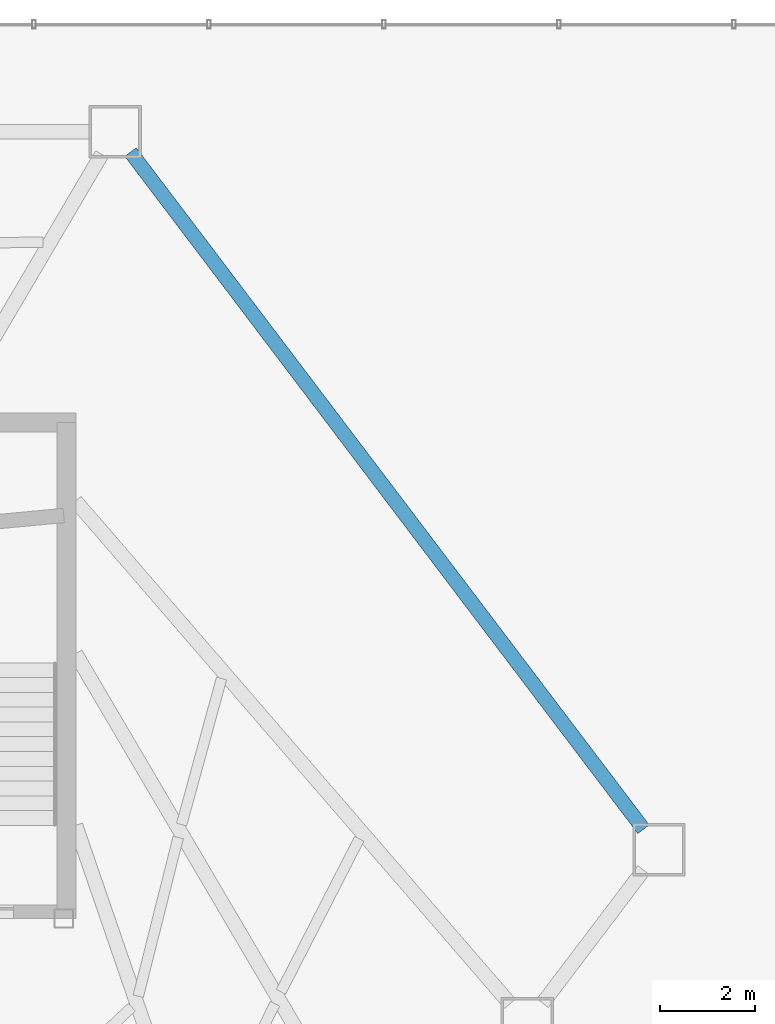
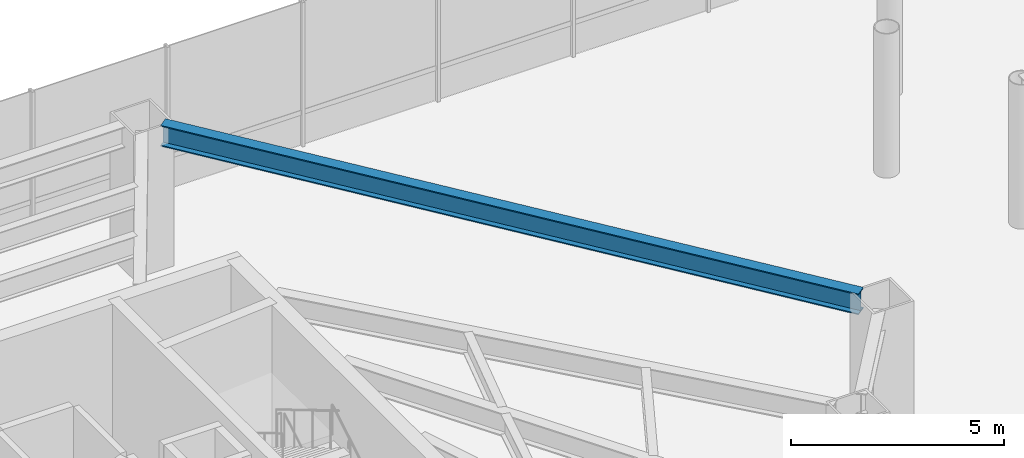
# One storey, part 24 of 37: 1 beam.
"""IFC4 building model written with IfcOpenShell, lengths in metres."""

from ifc_helpers import new_model, si_unit, direction, frame, origin, origin_2d, place, context, subcontext, project, spatial, i_section, extrude, material, material_profile, profile_set, type_object, element, save


model = new_model("IFC4")

# Units and contexts
model_context = context("Model", 3, precision=1e-05, world=origin(), true_north=direction((0.0, 1.0)))
body_context = subcontext(model_context, "Body", "Model", "MODEL_VIEW")
ifc_project = project(units=[si_unit("LENGTHUNIT", "METRE"), si_unit("AREAUNIT", "SQUARE_METRE"), si_unit("VOLUMEUNIT", "CUBIC_METRE"), si_unit("PLANEANGLEUNIT", "RADIAN"), si_unit("MASSUNIT", "GRAM", prefix="KILO")], contexts=[model_context])

# Site, building, storey
site_placement = place(None, origin())
site = spatial("IfcSite", under=ifc_project, at=site_placement, CompositionType="ELEMENT")
building_placement = place(site_placement, origin())
building = spatial("IfcBuilding", under=site, at=building_placement, Name="Zarrinselat Tower", CompositionType="ELEMENT")
storey_placement = place(building_placement, frame((0.0, 0.0, 13.93994140625)))
storey = spatial("IfcBuildingStorey", under=building, at=storey_placement, Name="L03", CompositionType="ELEMENT", Elevation=13.93994140625)

# Beam
ifc_material = material(Name="Steel S355J2", Category="steel")
ifc_material_profile = material_profile(ifc_material, i_section(OverallWidth=0.300048828125, OverallDepth=0.60009765625, WebThickness=0.015380859375, FlangeThickness=0.030029296875, at=origin_2d()), Name="HEB 600")
ifc_profile_set = profile_set([ifc_material_profile], Name="Steel S355J2")
beam_type = type_object("IfcBeamType", Name="BM-HEB600", PredefinedType="BEAM", material=ifc_profile_set)
beam_placement = place(storey_placement, frame((49.601806640625, 49.12109375, 3.840087890625), z_axis=(0.603860854183, -0.797089749517, 0.0), x_axis=(0.797089749517, 0.603860854183, 0.0)))
element("IfcBeam", 1, at=beam_placement, inside=storey, type_object=beam_type, Name="L03 Perimeter Spandrel Girder SP15", PredefinedType="BEAM", context=body_context, shape_type="SweptSolid", body=[
    extrude(i_section(OverallWidth=0.300048828125, OverallDepth=0.60009765625, WebThickness=0.015380859375, FlangeThickness=0.030029296875, at=origin_2d()), origin(), (0.0, 0.0, 1.0), 17.81494140625),
])

save(model, "model.ifc")
